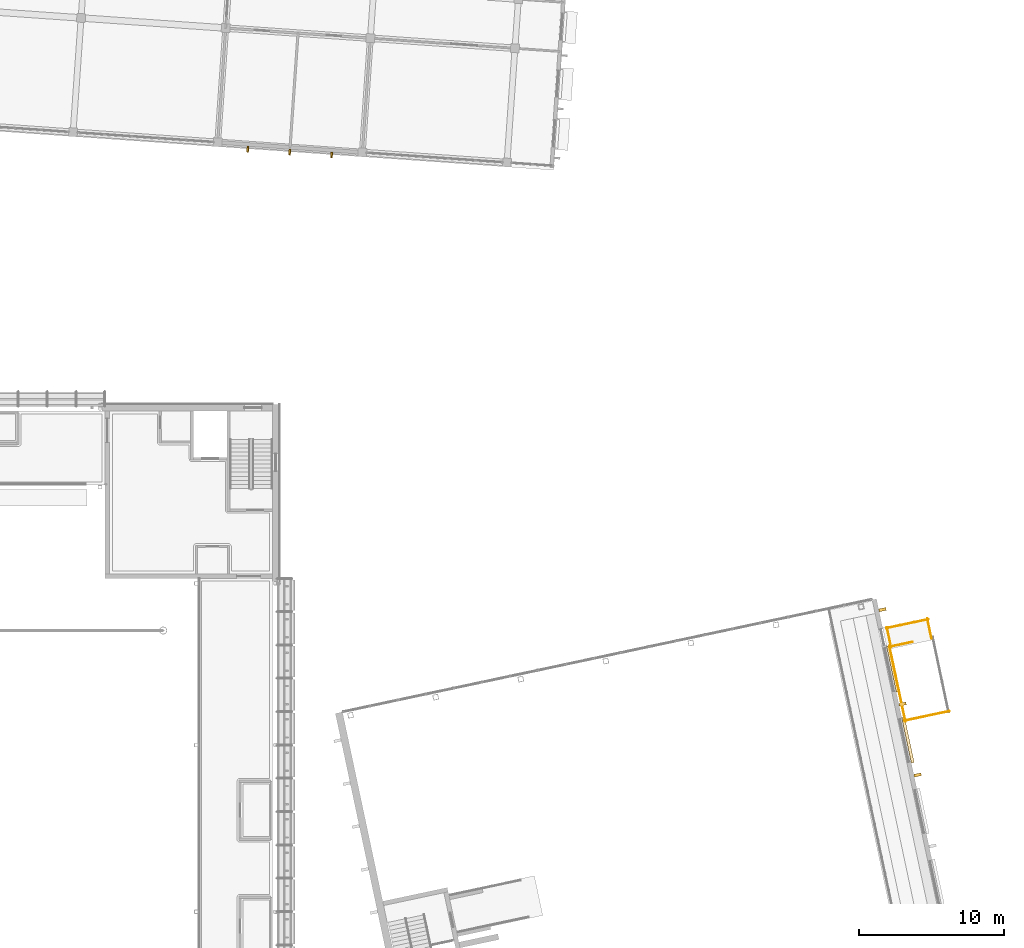
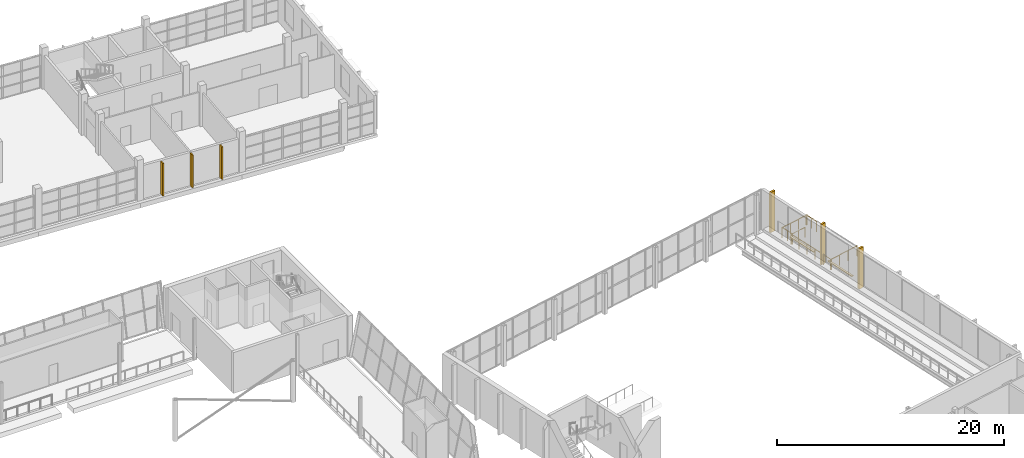
# One storey, part 112 of 115: 6 railings, 6 shading devices, 2 coverings.
"""IFC4 building model written with IfcOpenShell, lengths in metres."""

from ifc_helpers import new_model, si_unit, direction, frame, origin, origin_2d, place, context, subcontext, project, spatial, polyline, circle, outline, extrude, material, layer, layer_set, type_object, element, save


model = new_model("IFC4")

# Units and contexts
model_context = context("Model", 3, precision=1e-05, world=origin(), true_north=direction((0.0, 1.0)))
body_context = subcontext(model_context, "Body", "Model", "MODEL_VIEW")
ifc_project = project(units=[si_unit("LENGTHUNIT", "METRE"), si_unit("AREAUNIT", "SQUARE_METRE"), si_unit("VOLUMEUNIT", "CUBIC_METRE"), si_unit("PLANEANGLEUNIT", "RADIAN"), si_unit("MASSUNIT", "GRAM", prefix="KILO")], contexts=[model_context])

# Site, building, storey
site_placement = place(None, origin())
site = spatial("IfcSite", under=ifc_project, at=site_placement, CompositionType="ELEMENT")
building_placement = place(site_placement, origin())
building = spatial("IfcBuilding", under=site, at=building_placement, Name="Windward Yard Aquatics Centre", CompositionType="ELEMENT")
storey_placement = place(building_placement, frame((0.0, 0.0, 5.0)))
storey = spatial("IfcBuildingStorey", under=building, at=storey_placement, Name="L01", CompositionType="ELEMENT", Elevation=5.0)

# Railings
ifc_material_1 = material(Name="Stainless steel 1.4529", Category="steel")
railing_type = type_object("IfcRailingType", Name="D Gallery escape stair stair guard", PredefinedType="GUARDRAIL", material=ifc_material_1)
railing_1_placement = place(storey_placement, frame((194.158935546875, 79.287353515625, 0.0)))
element("IfcRailing", 1, at=railing_1_placement, inside=storey, type_object=railing_type, Name="L01 D-ST2 top well guard 1", PredefinedType="GUARDRAIL", context=body_context, shape_type="SweptSolid", body=[
    extrude(circle(Radius=0.02392578125, at=origin_2d()), frame((0.0, 0.0, 1.076171875), z_axis=(0.978146839882, 0.207915270313, 0.0), x_axis=(-0.207915270313, 0.978146839882, 0.0)), (0.0, 0.0, 1.0), 1.550048828125),
    extrude(circle(Radius=0.02099609375, at=origin_2d()), origin(), (0.0, 0.0, 1.0), 1.052001953125),
    extrude(circle(Radius=0.02099609375, at=origin_2d()), frame((0.758056640625, 0.1611328125, 0.0)), (0.0, 0.0, 1.0), 1.052001953125),
    extrude(circle(Radius=0.02099609375, at=origin_2d()), frame((1.51611328125, 0.322265625, 0.0)), (0.0, 0.0, 1.0), 1.052001953125),
])
railing_2_placement = place(storey_placement, frame((194.099609375, 79.325927734375, 0.0)))
element("IfcRailing", 2, at=railing_2_placement, inside=storey, type_object=railing_type, Name="L01 D-ST2 top well guard 2", PredefinedType="GUARDRAIL", context=body_context, shape_type="SweptSolid", body=[
    extrude(circle(Radius=0.02392578125, at=origin_2d()), frame((0.0, 0.0, 1.076171875), z_axis=(0.207892913882, -0.978151591706, 0.0), x_axis=(0.978151591706, 0.207892913882, 0.0)), (0.0, 0.0, 1.0), 5.2998046875),
    extrude(circle(Radius=0.02099609375, at=origin_2d()), origin(), (0.0, 0.0, 1.0), 1.052001953125),
    extrude(circle(Radius=0.02099609375, at=origin_2d()), frame((0.220458984375, -1.036865234375, 0.0)), (0.0, 0.0, 1.0), 1.052001953125),
    extrude(circle(Radius=0.02099609375, at=origin_2d()), frame((0.440673828125, -2.07373046875, 0.0)), (0.0, 0.0, 1.0), 1.052001953125),
    extrude(circle(Radius=0.02099609375, at=origin_2d()), frame((0.6611328125, -3.1103515625, 0.0)), (0.0, 0.0, 1.0), 1.052001953125),
    extrude(circle(Radius=0.02099609375, at=origin_2d()), frame((0.88134765625, -4.147216796875, 0.0)), (0.0, 0.0, 1.0), 1.052001953125),
    extrude(circle(Radius=0.02099609375, at=origin_2d()), frame((1.101806640625, -5.18408203125, 0.0)), (0.0, 0.0, 1.0), 1.052001953125),
])
railing_3_placement = place(storey_placement, frame((195.14208984375, 74.18017578125, 0.0)))
element("IfcRailing", 3, at=railing_3_placement, inside=storey, type_object=railing_type, Name="L01 D-ST2 top well guard 4", PredefinedType="GUARDRAIL", context=body_context, shape_type="SweptSolid", body=[
    extrude(circle(Radius=0.02392578125, at=origin_2d()), frame((0.0, 0.0, 1.076171875), z_axis=(0.978142499533, 0.207935688634, 0.0), x_axis=(-0.207935688634, 0.978142499533, 0.0)), (0.0, 0.0, 1.0), 3.150146484375),
    extrude(circle(Radius=0.02099609375, at=origin_2d()), origin(), (0.0, 0.0, 1.0), 1.052001953125),
    extrude(circle(Radius=0.02099609375, at=origin_2d()), frame((1.027099609375, 0.21826171875, 0.0)), (0.0, 0.0, 1.0), 1.052001953125),
    extrude(circle(Radius=0.02099609375, at=origin_2d()), frame((2.05419921875, 0.436767578125, 0.0)), (0.0, 0.0, 1.0), 1.052001953125),
    extrude(circle(Radius=0.02099609375, at=origin_2d()), frame((3.081298828125, 0.655029296875, 0.0)), (0.0, 0.0, 1.0), 1.052001953125),
])
railing_4_placement = place(storey_placement, frame((193.927001953125, 80.618408203125, 0.0)))
element("IfcRailing", 4, at=railing_4_placement, inside=storey, type_object=railing_type, Name="L01 D-ST2 top well guard 5", PredefinedType="GUARDRAIL", context=body_context, shape_type="SweptSolid", body=[
    extrude(circle(Radius=0.02392578125, at=origin_2d()), frame((0.0, 0.0, 1.076171875), z_axis=(0.208004722152, -0.978127821689, 0.0), x_axis=(0.978127821689, 0.208004722152, 0.0)), (0.0, 0.0, 1.0), 1.400146484375),
    extrude(circle(Radius=0.02099609375, at=origin_2d()), origin(), (0.0, 0.0, 1.0), 1.052001953125),
    extrude(circle(Radius=0.02099609375, at=origin_2d()), frame((0.1455078125, -0.684814453125, 0.0)), (0.0, 0.0, 1.0), 1.052001953125),
    extrude(circle(Radius=0.02099609375, at=origin_2d()), frame((0.291259765625, -1.36962890625, 0.0)), (0.0, 0.0, 1.0), 1.052001953125),
])
railing_5_placement = place(storey_placement, frame((196.71484375, 81.2109375, 0.0)))
element("IfcRailing", 5, at=railing_5_placement, inside=storey, type_object=railing_type, Name="L01 D-ST2 top well guard 6", PredefinedType="GUARDRAIL", context=body_context, shape_type="SweptSolid", body=[
    extrude(circle(Radius=0.02392578125, at=origin_2d()), frame((0.0, 0.0, 1.076171875), z_axis=(0.207873355681, -0.978155748334, 0.0), x_axis=(0.978155748334, 0.207873355681, 0.0)), (0.0, 0.0, 1.0), 1.39990234375),
    extrude(circle(Radius=0.02099609375, at=origin_2d()), origin(), (0.0, 0.0, 1.0), 1.052001953125),
    extrude(circle(Radius=0.02099609375, at=origin_2d()), frame((0.1455078125, -0.6845703125, 0.0)), (0.0, 0.0, 1.0), 1.052001953125),
    extrude(circle(Radius=0.02099609375, at=origin_2d()), frame((0.291015625, -1.369384765625, 0.0)), (0.0, 0.0, 1.0), 1.052001953125),
])
railing_6_placement = place(storey_placement, frame((193.888671875, 80.55908203125, 0.0)))
element("IfcRailing", 6, at=railing_6_placement, inside=storey, type_object=railing_type, Name="L01 D-ST2 top well guard 7", PredefinedType="GUARDRAIL", context=body_context, shape_type="SweptSolid", body=[
    extrude(circle(Radius=0.02392578125, at=origin_2d()), frame((0.0, 0.0, 1.076171875), z_axis=(0.978151067813, 0.207895378826, 0.0), x_axis=(-0.207895378826, 0.978151067813, 0.0)), (0.0, 0.0, 1.0), 2.949951171875),
    extrude(circle(Radius=0.02099609375, at=origin_2d()), origin(), (0.0, 0.0, 1.0), 1.052001953125),
    extrude(circle(Radius=0.02099609375, at=origin_2d()), frame((0.9619140625, 0.204345703125, 0.0)), (0.0, 0.0, 1.0), 1.052001953125),
    extrude(circle(Radius=0.02099609375, at=origin_2d()), frame((1.923583984375, 0.408935546875, 0.0)), (0.0, 0.0, 1.0), 1.052001953125),
    extrude(circle(Radius=0.02099609375, at=origin_2d()), frame((2.885498046875, 0.61328125, 0.0)), (0.0, 0.0, 1.0), 1.052001953125),
])

# Shading devices
ifc_material_2 = material(Name="Aluminium fin, powder coated", Category="aluminium")
shading_device_type_1 = type_object("IfcShadingDeviceType", Name="D vertical fin 200x500", PredefinedType="USERDEFINED", material=ifc_material_2)
shading_device_1_placement = place(storey_placement, origin())
element("IfcShadingDevice", 7, at=shading_device_1_placement, inside=storey, type_object=shading_device_type_1, Name="Vertical fin D.W.E.L01.5.1", ObjectType="FIN", PredefinedType="USERDEFINED", context=body_context, shape_type="SweptSolid", body=[
    extrude(outline(polyline([(195.775146484375, 70.48095703125), (196.26416015625, 70.5849609375), (196.305908203125, 70.389404296875), (195.816650390625, 70.285400390625), (195.775146484375, 70.48095703125)])), origin(), (0.0, 0.0, 1.0), 4.35009765625),
])
shading_device_2_placement = place(storey_placement, origin())
element("IfcShadingDevice", 8, at=shading_device_2_placement, inside=storey, type_object=shading_device_type_1, Name="Vertical fin D.W.E.L01.6.1", ObjectType="FIN", PredefinedType="USERDEFINED", context=body_context, shape_type="SweptSolid", body=[
    extrude(outline(polyline([(194.735595703125, 75.37158203125), (195.224609375, 75.4755859375), (195.26611328125, 75.280029296875), (194.777099609375, 75.176025390625), (194.735595703125, 75.37158203125)])), origin(), (0.0, 0.0, 1.0), 4.35009765625),
])
shading_device_3_placement = place(storey_placement, origin())
element("IfcShadingDevice", 9, at=shading_device_3_placement, inside=storey, type_object=shading_device_type_1, Name="Vertical fin D.W.E.L01.7.1", ObjectType="FIN", PredefinedType="USERDEFINED", context=body_context, shape_type="SweptSolid", body=[
    extrude(outline(polyline([(193.350830078125, 81.88623046875), (193.83984375, 81.989990234375), (193.881591796875, 81.79443359375), (193.392333984375, 81.6904296875), (193.350830078125, 81.88623046875)])), origin(), (0.0, 0.0, 1.0), 4.35009765625),
])

# Coverings
ifc_material_3 = material(Name="Limestone sill", Category="masonry")
ifc_layer = layer(ifc_material_3, 0.080078125)
ifc_layer_set = layer_set([ifc_layer], Name="D window sill stone 3200x200")
covering_type = type_object("IfcCoveringType", Name="D window sill stone 3200x200", PredefinedType="CLADDING", material=ifc_layer_set)
covering_1_placement = place(storey_placement, frame((0.0, 0.0, 0.820068359375)))
element("IfcCovering", 10, at=covering_1_placement, inside=storey, type_object=covering_type, Name="Window sill DW1005", PredefinedType="CLADDING", context=body_context, shape_type="SweptSolid", body=[
    extrude(outline(polyline([(194.943603515625, 74.3935546875), (195.13916015625, 74.43505859375), (195.804443359375, 71.30517578125), (195.60888671875, 71.263427734375), (194.943603515625, 74.3935546875)])), origin(), (0.0, 0.0, 1.0), 0.079833984375),
])
covering_2_placement = place(storey_placement, frame((0.0, 0.0, 0.820068359375)))
element("IfcCovering", 11, at=covering_2_placement, inside=storey, type_object=covering_type, Name="Window sill DW1006", PredefinedType="CLADDING", context=body_context, shape_type="SweptSolid", body=[
    extrude(outline(polyline([(193.90380859375, 79.2841796875), (194.099609375, 79.325927734375), (194.764892578125, 76.19580078125), (194.569091796875, 76.154296875), (193.90380859375, 79.2841796875)])), origin(), (0.0, 0.0, 1.0), 0.079833984375),
])

# Shading devices
ifc_material_4 = material(Name="Timber-look aluminium batten, powder coated", Category="wood")
shading_device_type_2 = type_object("IfcShadingDeviceType", Name="W vertical fin 120x400", PredefinedType="USERDEFINED", material=ifc_material_4)
shading_device_4_placement = place(storey_placement, origin())
element("IfcShadingDevice", 12, at=shading_device_4_placement, inside=storey, type_object=shading_device_type_2, Name="Vertical fin W.FW.L01.S.76.8.1.1", ObjectType="FIN", PredefinedType="USERDEFINED", context=body_context, shape_type="SweptSolid", body=[
    extrude(outline(polyline([(149.76416015625, 113.40869140625), (149.7919921875, 113.807861328125), (149.911865234375, 113.799560546875), (149.8837890625, 113.400390625), (149.76416015625, 113.40869140625)])), origin(), (0.0, 0.0, 1.0), 3.52001953125),
])
shading_device_5_placement = place(storey_placement, origin())
element("IfcShadingDevice", 13, at=shading_device_5_placement, inside=storey, type_object=shading_device_type_2, Name="Vertical fin W.FW.L01.S.76.8.1.2", ObjectType="FIN", PredefinedType="USERDEFINED", context=body_context, shape_type="SweptSolid", body=[
    extrude(outline(polyline([(152.6572265625, 113.20654296875), (152.68505859375, 113.60546875), (152.8046875, 113.59716796875), (152.77685546875, 113.197998046875), (152.6572265625, 113.20654296875)])), origin(), (0.0, 0.0, 1.0), 3.52001953125),
])
shading_device_6_placement = place(storey_placement, origin())
element("IfcShadingDevice", 14, at=shading_device_6_placement, inside=storey, type_object=shading_device_type_2, Name="Vertical fin W.FW.L01.S.76.8.1.3", ObjectType="FIN", PredefinedType="USERDEFINED", context=body_context, shape_type="SweptSolid", body=[
    extrude(outline(polyline([(155.550048828125, 113.004150390625), (155.577880859375, 113.4033203125), (155.69775390625, 113.39501953125), (155.669921875, 112.995849609375), (155.550048828125, 113.004150390625)])), origin(), (0.0, 0.0, 1.0), 3.52001953125),
])

save(model, "model.ifc")
